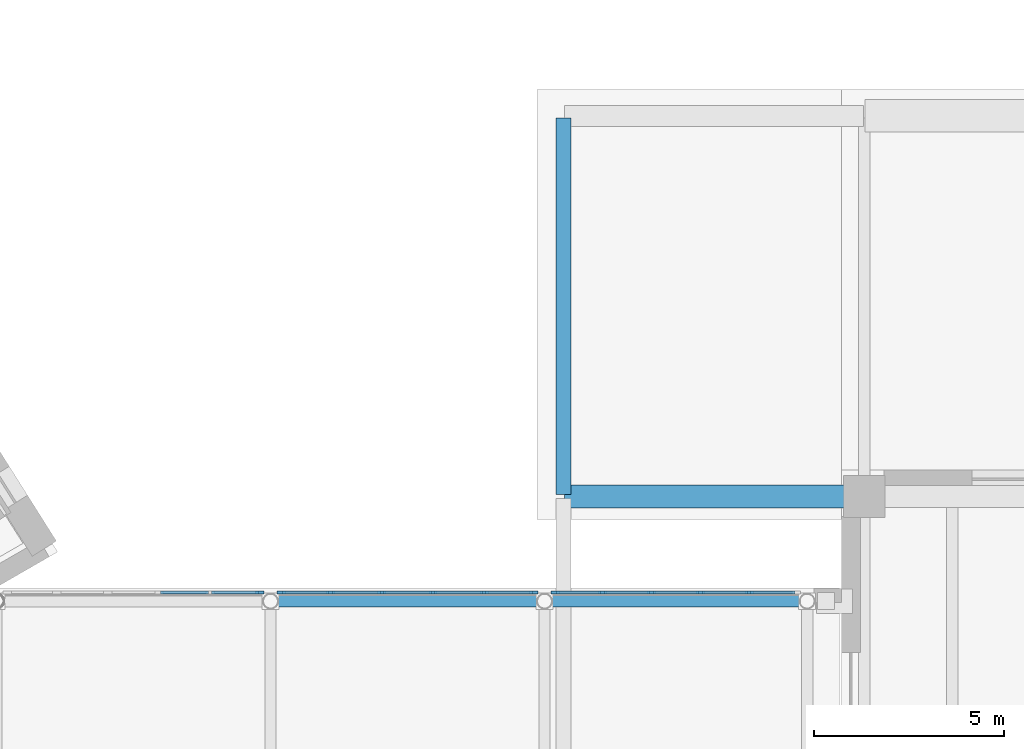
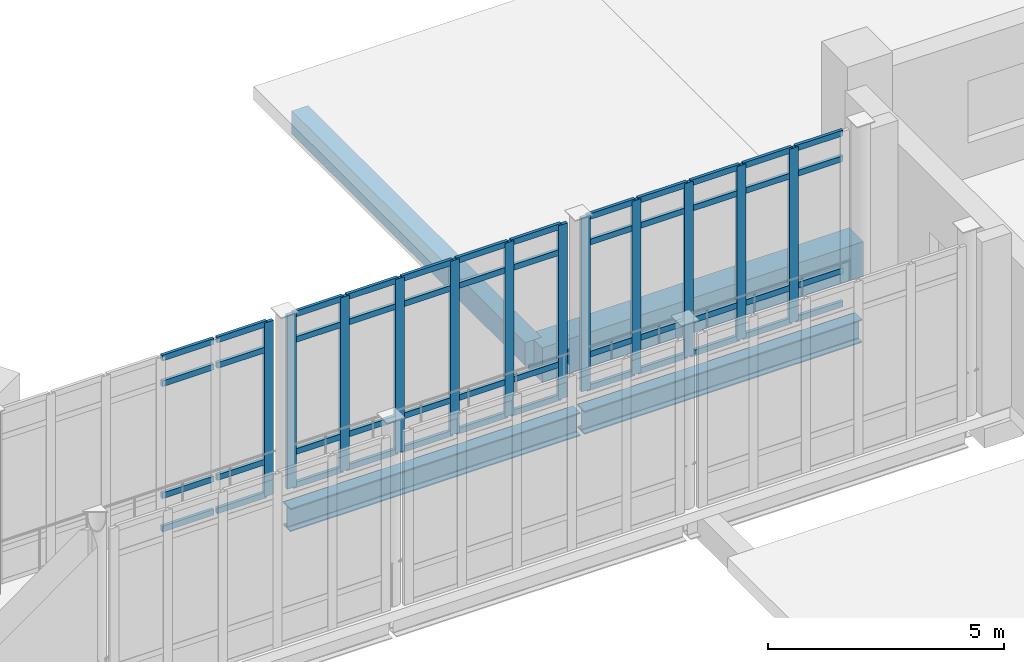
# One storey, part 29 of 75: 60 members, 4 beams, 3 elements without a shape of their own.
"""IFC4 building model written with IfcOpenShell, lengths in metres."""

import ifcopenshell
import ifcopenshell.guid

model = None  # the IFC model being written
_history = None  # IfcOwnerHistory: only IFC2X3 demands one
_inside = {}  # id of a spatial element -> (the spatial element, [elements in it])
_under = {}  # id of a project, library or spatial element -> (it, [spatial elements below it])
_declared = {}  # id of a project -> (the project, [libraries it declares])
_typed = {}  # id of a type object -> (the type object, [elements of that type])
_made_of = {}  # id of a material, layer set ... -> (it, [elements and type objects made of it])


def new_model(schema):
    """Start an empty IFC model of exactly this schema.

    Asked for "IFC4X3", IfcOpenShell would pick the latest addendum, in which some entities
    have other attributes; the version numbers below select the first issue.
    IFC2X3 requires an IfcOwnerHistory on every rooted entity: one is made here for all.
    """
    global model, _history
    if schema == "IFC4X3":
        model = ifcopenshell.file(schema_version=(4, 3, 0, 0))
    else:
        model = ifcopenshell.file(schema=schema)
    _inside.clear()
    _under.clear()
    _declared.clear()
    _typed.clear()
    _made_of.clear()
    _history = None
    if model.schema == "IFC2X3":
        org = make("IfcOrganization", Name="unknown")
        user = make(
            "IfcPersonAndOrganization",
            ThePerson=make("IfcPerson", FamilyName="unknown"),
            TheOrganization=org,
        )
        app = make(
            "IfcApplication",
            ApplicationDeveloper=org,
            Version="unknown",
            ApplicationFullName="unknown",
            ApplicationIdentifier="unknown",
        )
        _history = make(
            "IfcOwnerHistory",
            OwningUser=user,
            OwningApplication=app,
            ChangeAction="ADDED",
            CreationDate=0,
        )
    return model


def make(cls, **values):
    """One entity of the class cls with the attributes given. An attribute that is None is left unset."""
    return model.create_entity(
        cls, **{name: value for name, value in values.items() if value is not None}
    )


def rooted(cls, **values):
    """An entity with a GlobalId (a new one), such as an element, a storey or a relation."""
    return make(cls, GlobalId=ifcopenshell.guid.new(), OwnerHistory=_history, **values)


def si_unit(unit_type, name, prefix=None):
    """IfcSIUnit, for example si_unit("LENGTHUNIT", "METRE", prefix="MILLI")."""
    return make("IfcSIUnit", UnitType=unit_type, Prefix=prefix, Name=name)


def assignment(units):
    """IfcUnitAssignment: the units of a project."""
    return None if units is None else make("IfcUnitAssignment", Units=units)


def point(xyz):
    """IfcCartesianPoint."""
    return None if xyz is None else make("IfcCartesianPoint", Coordinates=xyz)


def direction(xyz):
    """IfcDirection."""
    return None if xyz is None else make("IfcDirection", DirectionRatios=xyz)


def frame(location, z_axis=None, x_axis=None):
    """IfcAxis2Placement3D, a coordinate frame: its origin and axes. An axis left out is left unset."""
    return make(
        "IfcAxis2Placement3D",
        Location=point(location),
        Axis=direction(z_axis),
        RefDirection=direction(x_axis),
    )


def frame_2d(location, x_axis=None):
    """IfcAxis2Placement2D, a coordinate frame in the plane: its origin and x axis."""
    return make(
        "IfcAxis2Placement2D", Location=point(location), RefDirection=direction(x_axis)
    )


def origin():
    """The frame at (0, 0, 0) with its axes left unset."""
    return frame((0.0, 0.0, 0.0))


def origin_2d():
    """The frame at (0, 0) in the plane with its x axis left unset."""
    return frame_2d((0.0, 0.0))


def place(relative_to, where):
    """IfcLocalPlacement: puts the frame where relative to a parent placement (None: the world)."""
    return make(
        "IfcLocalPlacement", PlacementRelTo=relative_to, RelativePlacement=where
    )


def context(
    kind, dimensions, precision=None, world=None, true_north=None, identifier=None
):
    """IfcGeometricRepresentationContext, for example the 3D "Model" context."""
    return make(
        "IfcGeometricRepresentationContext",
        ContextIdentifier=identifier,
        ContextType=kind,
        CoordinateSpaceDimension=dimensions,
        Precision=precision,
        WorldCoordinateSystem=world,
        TrueNorth=true_north,
    )


def subcontext(parent, identifier, kind, view, scale=None):
    """IfcGeometricRepresentationSubContext, for example "Body" below "Model"."""
    return make(
        "IfcGeometricRepresentationSubContext",
        ContextIdentifier=identifier,
        ContextType=kind,
        ParentContext=parent,
        TargetScale=scale,
        TargetView=view,
    )


def project(units=None, contexts=None):
    """IfcProject with its units and contexts."""
    return rooted(
        "IfcProject",
        Name="project",
        RepresentationContexts=contexts,
        UnitsInContext=assignment(units),
    )


def spatial(cls, under=None, at=None, **own):
    """A site, building, storey or space (cls), placed at a placement, below another one or the project."""
    s = rooted(cls, ObjectPlacement=at, **own)
    if under is not None:
        _under.setdefault(under.id(), (under, []))[1].append(s)
    return s


def profile(cls, at=None, kind="AREA", **sizes):
    """A parametric profile (cls). Its sizes go by their IFC names, for example OverallWidth=200.0."""
    return make(cls, ProfileType=kind, Position=at, **sizes)


def rectangle(**sizes):
    """IfcRectangleProfileDef."""
    return profile("IfcRectangleProfileDef", **sizes)


def i_section(**sizes):
    """IfcIShapeProfileDef."""
    return profile("IfcIShapeProfileDef", **sizes)


def extrude(swept, where, along, depth):
    """IfcExtrudedAreaSolid: the profile swept, set in the frame where, extruded along a direction by depth."""
    return make(
        "IfcExtrudedAreaSolid",
        SweptArea=swept,
        Position=where,
        ExtrudedDirection=direction(along),
        Depth=depth,
    )


def shape(context_of_items, identifier, shape_type, items):
    """IfcShapeRepresentation: the items that make up one representation, for example the "Body"."""
    return make(
        "IfcShapeRepresentation",
        ContextOfItems=context_of_items,
        RepresentationIdentifier=identifier,
        RepresentationType=shape_type,
        Items=items,
    )


def material(Name=None, Category=None):
    """IfcMaterial."""
    return make("IfcMaterial", Name=Name, Category=Category)


def material_profile(
    of_material, cross_section, Name=None, Category=None, Priority=None
):
    """IfcMaterialProfile: a cross section and its material."""
    return make(
        "IfcMaterialProfile",
        Name=Name,
        Material=of_material,
        Profile=cross_section,
        Priority=Priority,
        Category=Category,
    )


def profile_set(profiles, Name=None, composite=None):
    """IfcMaterialProfileSet."""
    return make(
        "IfcMaterialProfileSet",
        Name=Name,
        MaterialProfiles=profiles,
        CompositeProfile=composite,
    )


def made_of(thing, what):
    """Note that an element or type object is made of a material, layer set ...; save() writes the relation."""
    if what is not None:
        _made_of.setdefault(what.id(), (what, []))[1].append(thing)
    return thing


def type_object(cls, material=None, **own):
    """A type object (cls), such as IfcWallType, which elements share."""
    return made_of(rooted(cls, **own), material)


def element(
    cls,
    number,
    at=None,
    inside=None,
    cuts=None,
    type_object=None,
    material=None,
    context=None,
    identifier="Body",
    shape_type=None,
    held_by="IfcProductDefinitionShape",
    body=None,
    shapes=None,
    **own,
):
    """One element of the class cls, such as IfcWall. Its Tag is "e" and its number.

    at: its placement. inside: the storey or other place that contains it. cuts: it is an
    opening in that element (IfcRelVoidsElement). A single representation is given by context,
    identifier, shape_type and body (its items); several are given by shapes. held_by: the class
    of the entity that holds the representations. save() writes the other relations.
    """
    e = rooted(cls, Tag="e%d" % number, ObjectPlacement=at, **own)
    if body is not None:
        shapes = [shape(context, identifier, shape_type, body)]
    if shapes is not None:
        e.Representation = make(held_by, Representations=shapes)
    if inside is not None:
        _inside.setdefault(inside.id(), (inside, []))[1].append(e)
    if cuts is not None:
        rooted(
            "IfcRelVoidsElement", RelatingBuildingElement=cuts, RelatedOpeningElement=e
        )
    if type_object is not None:
        _typed.setdefault(type_object.id(), (type_object, []))[1].append(e)
    return made_of(e, material)


def aggregate(whole, parts):
    """IfcRelAggregates: a whole, such as a stair, and the parts it consists of."""
    return rooted("IfcRelAggregates", RelatingObject=whole, RelatedObjects=parts)


def save(model, path):
    """Write the relations noted so far, then the file.

    IfcRelAggregates (storeys below a building ...), IfcRelContainedInSpatialStructure (elements
    in a storey), IfcRelDefinesByType, IfcRelAssociatesMaterial and IfcRelDeclares: one each for
    every whole, place, type object, material and project.
    """
    for whole, parts in _under.values():
        aggregate(whole, parts)
    for where, things in _inside.values():
        rooted(
            "IfcRelContainedInSpatialStructure",
            RelatedElements=things,
            RelatingStructure=where,
        )
    for kind, things in _typed.values():
        rooted("IfcRelDefinesByType", RelatedObjects=things, RelatingType=kind)
    for what, things in _made_of.values():
        rooted("IfcRelAssociatesMaterial", RelatedObjects=things, RelatingMaterial=what)
    for by, libraries in _declared.values():
        rooted("IfcRelDeclares", RelatingContext=by, RelatedDefinitions=libraries)
    model.write(path)


model = new_model("IFC4")

# Units and contexts
model_context = context("Model", 3, precision=1e-05, world=origin(), true_north=direction((0.0, 1.0)))
body_context = subcontext(model_context, "Body", "Model", "MODEL_VIEW")
ifc_project = project(units=[si_unit("LENGTHUNIT", "METRE"), si_unit("AREAUNIT", "SQUARE_METRE"), si_unit("VOLUMEUNIT", "CUBIC_METRE"), si_unit("PLANEANGLEUNIT", "RADIAN"), si_unit("MASSUNIT", "GRAM", prefix="KILO")], contexts=[model_context])

# Site, building, storey
site_placement = place(None, origin())
site = spatial("IfcSite", under=ifc_project, at=site_placement, CompositionType="ELEMENT")
building_placement = place(site_placement, origin())
building = spatial("IfcBuilding", under=site, at=building_placement, Name="Soyqirgoq Riverine Aquarium", CompositionType="ELEMENT")
storey_placement = place(building_placement, frame((0.0, 0.0, 10.199951171875)))
storey = spatial("IfcBuildingStorey", under=building, at=storey_placement, Name="L03", CompositionType="ELEMENT", Elevation=10.199951171875)

# Beam
ifc_material_1 = material(Name="Concrete C40/50", Category="concrete")
ifc_material_profile_1 = material_profile(ifc_material_1, rectangle(XDim=0.39990234375, YDim=0.60009765625, at=origin_2d()), Name="RC 400x600")
ifc_profile_set_1 = profile_set([ifc_material_profile_1], Name="Concrete C40/50")
beam_type_1 = type_object("IfcBeamType", Name="Beam_RC_400x600", PredefinedType="JOIST", material=ifc_profile_set_1)
beam_1_placement = place(storey_placement, frame((114.699951171875, 84.85009765625, -0.64990234375), z_axis=(0.0, 1.0, 0.0), x_axis=(-1.0, 0.0, 0.0)))
element("IfcBeam", 1, at=beam_1_placement, inside=storey, type_object=beam_type_1, Name="V7 L03 North-South Frame Beam 1363", PredefinedType="JOIST", context=body_context, shape_type="SweptSolid", body=[
    extrude(rectangle(XDim=0.39990234375, YDim=0.60009765625, at=origin_2d()), origin(), (0.0, 0.0, 1.0), 9.89990234375),
])

# Curtain wall, member
ifc_material_2 = material(Name="Laminated solar-control bridge curtain wall", Category="aluminium")
curtain_wall_type = type_object("IfcCurtainWallType", Name="CW_Bridge_Concourse", PredefinedType="NOTDEFINED", material=ifc_material_2)
curtain_wall_1_placement = place(storey_placement, origin())
curtain_wall_1 = element("IfcCurtainWall", 2, at=curtain_wall_1_placement, inside=storey, type_object=curtain_wall_type, Name="BR-2 L03 Curtain Wall 144", PredefinedType="NOTDEFINED")
ifc_material_3 = material(Name="Anodised aluminium 6063-T6", Category="aluminium")
ifc_material_profile_2 = material_profile(ifc_material_3, rectangle(XDim=0.080078125, YDim=0.219970703125, at=origin_2d()), Name="ALU-M 80x220")
ifc_profile_set_2 = profile_set([ifc_material_profile_2], Name="Anodised aluminium 6063-T6")
member_type_1 = type_object("IfcMemberType", Name="CWMullion_80x220", PredefinedType="MULLION", material=ifc_profile_set_2)
member_1_placement = place(storey_placement, frame((106.719970703125, 82.280029296875, 0.0), z_axis=(0.0, 0.0, 1.0), x_axis=(0.0, 1.0, 0.0)))
member_1 = element("IfcMember", 3, at=member_1_placement, type_object=member_type_1, Name="CW-06 mullion 6", PredefinedType="MULLION", context=body_context, shape_type="SweptSolid", body=[
    extrude(rectangle(XDim=0.080078125, YDim=0.219970703125, at=origin_2d()), origin(), (0.0, 0.0, 1.0), 4.5),
])

# Curtain wall, members
curtain_wall_2_placement = place(storey_placement, origin())
curtain_wall_2 = element("IfcCurtainWall", 4, at=curtain_wall_2_placement, inside=storey, type_object=curtain_wall_type, Name="BR-2 L03 Curtain Wall 145", PredefinedType="NOTDEFINED")
member_2_placement = place(storey_placement, frame((107.280029296875, 82.280029296875, 0.0), z_axis=(0.0, 0.0, 1.0), x_axis=(0.0, 1.0, 0.0)))
member_2 = element("IfcMember", 5, at=member_2_placement, type_object=member_type_1, Name="CW-06 mullion 1", PredefinedType="MULLION", context=body_context, shape_type="SweptSolid", body=[
    extrude(rectangle(XDim=0.080078125, YDim=0.219970703125, at=origin_2d()), origin(), (0.0, 0.0, 1.0), 4.5),
])
member_3_placement = place(storey_placement, frame((108.583984375, 82.280029296875, 0.0), z_axis=(0.0, 0.0, 1.0), x_axis=(0.0, 1.0, 0.0)))
member_3 = element("IfcMember", 6, at=member_3_placement, type_object=member_type_1, Name="CW-06 mullion 2", PredefinedType="MULLION", context=body_context, shape_type="SweptSolid", body=[
    extrude(rectangle(XDim=0.080078125, YDim=0.219970703125, at=origin_2d()), origin(), (0.0, 0.0, 1.0), 4.5),
])
member_4_placement = place(storey_placement, frame((109.927978515625, 82.280029296875, 0.0), z_axis=(0.0, 0.0, 1.0), x_axis=(0.0, 1.0, 0.0)))
member_4 = element("IfcMember", 7, at=member_4_placement, type_object=member_type_1, Name="CW-06 mullion 3", PredefinedType="MULLION", context=body_context, shape_type="SweptSolid", body=[
    extrude(rectangle(XDim=0.080078125, YDim=0.219970703125, at=origin_2d()), origin(), (0.0, 0.0, 1.0), 4.5),
])
member_5_placement = place(storey_placement, frame((111.27197265625, 82.280029296875, 0.0), z_axis=(0.0, 0.0, 1.0), x_axis=(0.0, 1.0, 0.0)))
member_5 = element("IfcMember", 8, at=member_5_placement, type_object=member_type_1, Name="CW-06 mullion 4", PredefinedType="MULLION", context=body_context, shape_type="SweptSolid", body=[
    extrude(rectangle(XDim=0.080078125, YDim=0.219970703125, at=origin_2d()), origin(), (0.0, 0.0, 1.0), 4.5),
])
member_6_placement = place(storey_placement, frame((112.615966796875, 82.280029296875, 0.0), z_axis=(0.0, 0.0, 1.0), x_axis=(0.0, 1.0, 0.0)))
member_6 = element("IfcMember", 9, at=member_6_placement, type_object=member_type_1, Name="CW-06 mullion 5", PredefinedType="MULLION", context=body_context, shape_type="SweptSolid", body=[
    extrude(rectangle(XDim=0.080078125, YDim=0.219970703125, at=origin_2d()), origin(), (0.0, 0.0, 1.0), 4.5),
])
member_7_placement = place(storey_placement, frame((113.919921875, 82.280029296875, 0.0), z_axis=(0.0, 0.0, 1.0), x_axis=(0.0, 1.0, 0.0)))
member_7 = element("IfcMember", 10, at=member_7_placement, type_object=member_type_1, Name="CW-06 mullion 6", PredefinedType="MULLION", context=body_context, shape_type="SweptSolid", body=[
    extrude(rectangle(XDim=0.080078125, YDim=0.219970703125, at=origin_2d()), origin(), (0.0, 0.0, 1.0), 4.5),
])

curtain_wall_3_placement = place(storey_placement, origin())
curtain_wall_3 = element("IfcCurtainWall", 11, at=curtain_wall_3_placement, inside=storey, type_object=curtain_wall_type, Name="BR-2 L03 Curtain Wall 146", PredefinedType="NOTDEFINED")
member_8_placement = place(storey_placement, frame((114.47998046875, 82.280029296875, 0.0), z_axis=(0.0, 0.0, 1.0), x_axis=(0.0, 1.0, 0.0)))
member_8 = element("IfcMember", 12, at=member_8_placement, type_object=member_type_1, Name="CW-06 mullion 1", PredefinedType="MULLION", context=body_context, shape_type="SweptSolid", body=[
    extrude(rectangle(XDim=0.080078125, YDim=0.219970703125, at=origin_2d()), origin(), (0.0, 0.0, 1.0), 4.5),
])
member_9_placement = place(storey_placement, frame((115.72412109375, 82.280029296875, 0.0), z_axis=(0.0, 0.0, 1.0), x_axis=(0.0, 1.0, 0.0)))
member_9 = element("IfcMember", 13, at=member_9_placement, type_object=member_type_1, Name="CW-06 mullion 2", PredefinedType="MULLION", context=body_context, shape_type="SweptSolid", body=[
    extrude(rectangle(XDim=0.080078125, YDim=0.219970703125, at=origin_2d()), origin(), (0.0, 0.0, 1.0), 4.5),
])
member_10_placement = place(storey_placement, frame((117.008056640625, 82.280029296875, 0.0), z_axis=(0.0, 0.0, 1.0), x_axis=(0.0, 1.0, 0.0)))
member_10 = element("IfcMember", 14, at=member_10_placement, type_object=member_type_1, Name="CW-06 mullion 3", PredefinedType="MULLION", context=body_context, shape_type="SweptSolid", body=[
    extrude(rectangle(XDim=0.080078125, YDim=0.219970703125, at=origin_2d()), origin(), (0.0, 0.0, 1.0), 4.5),
])
member_11_placement = place(storey_placement, frame((118.2919921875, 82.280029296875, 0.0), z_axis=(0.0, 0.0, 1.0), x_axis=(0.0, 1.0, 0.0)))
member_11 = element("IfcMember", 15, at=member_11_placement, type_object=member_type_1, Name="CW-06 mullion 4", PredefinedType="MULLION", context=body_context, shape_type="SweptSolid", body=[
    extrude(rectangle(XDim=0.080078125, YDim=0.219970703125, at=origin_2d()), origin(), (0.0, 0.0, 1.0), 4.5),
])
member_12_placement = place(storey_placement, frame((119.575927734375, 82.280029296875, 0.0), z_axis=(0.0, 0.0, 1.0), x_axis=(0.0, 1.0, 0.0)))
member_12 = element("IfcMember", 16, at=member_12_placement, type_object=member_type_1, Name="CW-06 mullion 5", PredefinedType="MULLION", context=body_context, shape_type="SweptSolid", body=[
    extrude(rectangle(XDim=0.080078125, YDim=0.219970703125, at=origin_2d()), origin(), (0.0, 0.0, 1.0), 4.5),
])

# Member
ifc_material_4 = material(Name="Anodised aluminium 6063-T6", Category="aluminium")
ifc_material_profile_3 = material_profile(ifc_material_4, rectangle(XDim=0.074951171875, YDim=0.14990234375, at=origin_2d()), Name="ALU-T 75x150")
ifc_profile_set_3 = profile_set([ifc_material_profile_3], Name="Anodised aluminium 6063-T6")
member_type_2 = type_object("IfcMemberType", Name="CWTransom_75x150", PredefinedType="USERDEFINED", material=ifc_profile_set_3)
member_13_placement = place(storey_placement, frame((104.112060546875, 82.280029296875, 0.03759765625), z_axis=(1.0, 0.0, 0.0), x_axis=(0.0, 1.0, 0.0)))
member_13 = element("IfcMember", 17, at=member_13_placement, type_object=member_type_2, Name="CW-06 transom 4.1", ObjectType="TRANSOM", PredefinedType="USERDEFINED", context=body_context, shape_type="SweptSolid", body=[
    extrude(rectangle(XDim=0.074951171875, YDim=0.14990234375, at=origin_2d()), origin(), (0.0, 0.0, 1.0), 1.263916015625),
])

member_14_placement = place(storey_placement, frame((104.112060546875, 82.280029296875, 0.900146484375), z_axis=(1.0, 0.0, 0.0), x_axis=(0.0, 1.0, 0.0)))
member_14 = element("IfcMember", 18, at=member_14_placement, type_object=member_type_2, Name="CW-06 transom 4.2", ObjectType="TRANSOM", PredefinedType="USERDEFINED", context=body_context, shape_type="SweptSolid", body=[
    extrude(rectangle(XDim=0.074951171875, YDim=0.14990234375, at=origin_2d()), origin(), (0.0, 0.0, 1.0), 1.263916015625),
])

member_15_placement = place(storey_placement, frame((104.112060546875, 82.280029296875, 3.800048828125), z_axis=(1.0, 0.0, 0.0), x_axis=(0.0, 1.0, 0.0)))
member_15 = element("IfcMember", 19, at=member_15_placement, type_object=member_type_2, Name="CW-06 transom 4.3", ObjectType="TRANSOM", PredefinedType="USERDEFINED", context=body_context, shape_type="SweptSolid", body=[
    extrude(rectangle(XDim=0.074951171875, YDim=0.14990234375, at=origin_2d()), origin(), (0.0, 0.0, 1.0), 1.263916015625),
])

member_16_placement = place(storey_placement, frame((104.112060546875, 82.280029296875, 4.462646484375), z_axis=(1.0, 0.0, 0.0), x_axis=(0.0, 1.0, 0.0)))
member_16 = element("IfcMember", 20, at=member_16_placement, type_object=member_type_2, Name="CW-06 transom 4.4", ObjectType="TRANSOM", PredefinedType="USERDEFINED", context=body_context, shape_type="SweptSolid", body=[
    extrude(rectangle(XDim=0.074951171875, YDim=0.14990234375, at=origin_2d()), origin(), (0.0, 0.0, 1.0), 1.263916015625),
])

member_17_placement = place(storey_placement, frame((105.4560546875, 82.280029296875, 0.03759765625), z_axis=(1.0, 0.0, 0.0), x_axis=(0.0, 1.0, 0.0)))
member_17 = element("IfcMember", 21, at=member_17_placement, type_object=member_type_2, Name="CW-06 transom 5.1", ObjectType="TRANSOM", PredefinedType="USERDEFINED", context=body_context, shape_type="SweptSolid", body=[
    extrude(rectangle(XDim=0.074951171875, YDim=0.14990234375, at=origin_2d()), origin(), (0.0, 0.0, 1.0), 1.223876953125),
])

member_18_placement = place(storey_placement, frame((105.4560546875, 82.280029296875, 0.900146484375), z_axis=(1.0, 0.0, 0.0), x_axis=(0.0, 1.0, 0.0)))
member_18 = element("IfcMember", 22, at=member_18_placement, type_object=member_type_2, Name="CW-06 transom 5.2", ObjectType="TRANSOM", PredefinedType="USERDEFINED", context=body_context, shape_type="SweptSolid", body=[
    extrude(rectangle(XDim=0.074951171875, YDim=0.14990234375, at=origin_2d()), origin(), (0.0, 0.0, 1.0), 1.223876953125),
])

member_19_placement = place(storey_placement, frame((105.4560546875, 82.280029296875, 3.800048828125), z_axis=(1.0, 0.0, 0.0), x_axis=(0.0, 1.0, 0.0)))
member_19 = element("IfcMember", 23, at=member_19_placement, type_object=member_type_2, Name="CW-06 transom 5.3", ObjectType="TRANSOM", PredefinedType="USERDEFINED", context=body_context, shape_type="SweptSolid", body=[
    extrude(rectangle(XDim=0.074951171875, YDim=0.14990234375, at=origin_2d()), origin(), (0.0, 0.0, 1.0), 1.223876953125),
])

member_20_placement = place(storey_placement, frame((105.4560546875, 82.280029296875, 4.462646484375), z_axis=(1.0, 0.0, 0.0), x_axis=(0.0, 1.0, 0.0)))
member_20 = element("IfcMember", 24, at=member_20_placement, type_object=member_type_2, Name="CW-06 transom 5.4", ObjectType="TRANSOM", PredefinedType="USERDEFINED", context=body_context, shape_type="SweptSolid", body=[
    extrude(rectangle(XDim=0.074951171875, YDim=0.14990234375, at=origin_2d()), origin(), (0.0, 0.0, 1.0), 1.223876953125),
])

aggregate(curtain_wall_1, [member_1, member_13, member_14, member_15, member_16, member_17, member_18, member_19, member_20])

member_21_placement = place(storey_placement, frame((107.320068359375, 82.280029296875, 0.03759765625), z_axis=(1.0, 0.0, 0.0), x_axis=(0.0, 1.0, 0.0)))
member_21 = element("IfcMember", 25, at=member_21_placement, type_object=member_type_2, Name="CW-06 transom 1.1", ObjectType="TRANSOM", PredefinedType="USERDEFINED", context=body_context, shape_type="SweptSolid", body=[
    extrude(rectangle(XDim=0.074951171875, YDim=0.14990234375, at=origin_2d()), origin(), (0.0, 0.0, 1.0), 1.223876953125),
])

member_22_placement = place(storey_placement, frame((107.320068359375, 82.280029296875, 0.900146484375), z_axis=(1.0, 0.0, 0.0), x_axis=(0.0, 1.0, 0.0)))
member_22 = element("IfcMember", 26, at=member_22_placement, type_object=member_type_2, Name="CW-06 transom 1.2", ObjectType="TRANSOM", PredefinedType="USERDEFINED", context=body_context, shape_type="SweptSolid", body=[
    extrude(rectangle(XDim=0.074951171875, YDim=0.14990234375, at=origin_2d()), origin(), (0.0, 0.0, 1.0), 1.223876953125),
])

member_23_placement = place(storey_placement, frame((107.320068359375, 82.280029296875, 3.800048828125), z_axis=(1.0, 0.0, 0.0), x_axis=(0.0, 1.0, 0.0)))
member_23 = element("IfcMember", 27, at=member_23_placement, type_object=member_type_2, Name="CW-06 transom 1.3", ObjectType="TRANSOM", PredefinedType="USERDEFINED", context=body_context, shape_type="SweptSolid", body=[
    extrude(rectangle(XDim=0.074951171875, YDim=0.14990234375, at=origin_2d()), origin(), (0.0, 0.0, 1.0), 1.223876953125),
])

member_24_placement = place(storey_placement, frame((107.320068359375, 82.280029296875, 4.462646484375), z_axis=(1.0, 0.0, 0.0), x_axis=(0.0, 1.0, 0.0)))
member_24 = element("IfcMember", 28, at=member_24_placement, type_object=member_type_2, Name="CW-06 transom 1.4", ObjectType="TRANSOM", PredefinedType="USERDEFINED", context=body_context, shape_type="SweptSolid", body=[
    extrude(rectangle(XDim=0.074951171875, YDim=0.14990234375, at=origin_2d()), origin(), (0.0, 0.0, 1.0), 1.223876953125),
])

member_25_placement = place(storey_placement, frame((108.6240234375, 82.280029296875, 0.03759765625), z_axis=(1.0, 0.0, 0.0), x_axis=(0.0, 1.0, 0.0)))
member_25 = element("IfcMember", 29, at=member_25_placement, type_object=member_type_2, Name="CW-06 transom 2.1", ObjectType="TRANSOM", PredefinedType="USERDEFINED", context=body_context, shape_type="SweptSolid", body=[
    extrude(rectangle(XDim=0.074951171875, YDim=0.14990234375, at=origin_2d()), origin(), (0.0, 0.0, 1.0), 1.263916015625),
])

member_26_placement = place(storey_placement, frame((108.6240234375, 82.280029296875, 0.900146484375), z_axis=(1.0, 0.0, 0.0), x_axis=(0.0, 1.0, 0.0)))
member_26 = element("IfcMember", 30, at=member_26_placement, type_object=member_type_2, Name="CW-06 transom 2.2", ObjectType="TRANSOM", PredefinedType="USERDEFINED", context=body_context, shape_type="SweptSolid", body=[
    extrude(rectangle(XDim=0.074951171875, YDim=0.14990234375, at=origin_2d()), origin(), (0.0, 0.0, 1.0), 1.263916015625),
])

member_27_placement = place(storey_placement, frame((108.6240234375, 82.280029296875, 3.800048828125), z_axis=(1.0, 0.0, 0.0), x_axis=(0.0, 1.0, 0.0)))
member_27 = element("IfcMember", 31, at=member_27_placement, type_object=member_type_2, Name="CW-06 transom 2.3", ObjectType="TRANSOM", PredefinedType="USERDEFINED", context=body_context, shape_type="SweptSolid", body=[
    extrude(rectangle(XDim=0.074951171875, YDim=0.14990234375, at=origin_2d()), origin(), (0.0, 0.0, 1.0), 1.263916015625),
])

member_28_placement = place(storey_placement, frame((108.6240234375, 82.280029296875, 4.462646484375), z_axis=(1.0, 0.0, 0.0), x_axis=(0.0, 1.0, 0.0)))
member_28 = element("IfcMember", 32, at=member_28_placement, type_object=member_type_2, Name="CW-06 transom 2.4", ObjectType="TRANSOM", PredefinedType="USERDEFINED", context=body_context, shape_type="SweptSolid", body=[
    extrude(rectangle(XDim=0.074951171875, YDim=0.14990234375, at=origin_2d()), origin(), (0.0, 0.0, 1.0), 1.263916015625),
])

member_29_placement = place(storey_placement, frame((109.968017578125, 82.280029296875, 0.03759765625), z_axis=(1.0, 0.0, 0.0), x_axis=(0.0, 1.0, 0.0)))
member_29 = element("IfcMember", 33, at=member_29_placement, type_object=member_type_2, Name="CW-06 transom 3.1", ObjectType="TRANSOM", PredefinedType="USERDEFINED", context=body_context, shape_type="SweptSolid", body=[
    extrude(rectangle(XDim=0.074951171875, YDim=0.14990234375, at=origin_2d()), origin(), (0.0, 0.0, 1.0), 1.263916015625),
])

member_30_placement = place(storey_placement, frame((109.968017578125, 82.280029296875, 0.900146484375), z_axis=(1.0, 0.0, 0.0), x_axis=(0.0, 1.0, 0.0)))
member_30 = element("IfcMember", 34, at=member_30_placement, type_object=member_type_2, Name="CW-06 transom 3.2", ObjectType="TRANSOM", PredefinedType="USERDEFINED", context=body_context, shape_type="SweptSolid", body=[
    extrude(rectangle(XDim=0.074951171875, YDim=0.14990234375, at=origin_2d()), origin(), (0.0, 0.0, 1.0), 1.263916015625),
])

member_31_placement = place(storey_placement, frame((109.968017578125, 82.280029296875, 3.800048828125), z_axis=(1.0, 0.0, 0.0), x_axis=(0.0, 1.0, 0.0)))
member_31 = element("IfcMember", 35, at=member_31_placement, type_object=member_type_2, Name="CW-06 transom 3.3", ObjectType="TRANSOM", PredefinedType="USERDEFINED", context=body_context, shape_type="SweptSolid", body=[
    extrude(rectangle(XDim=0.074951171875, YDim=0.14990234375, at=origin_2d()), origin(), (0.0, 0.0, 1.0), 1.263916015625),
])

member_32_placement = place(storey_placement, frame((109.968017578125, 82.280029296875, 4.462646484375), z_axis=(1.0, 0.0, 0.0), x_axis=(0.0, 1.0, 0.0)))
member_32 = element("IfcMember", 36, at=member_32_placement, type_object=member_type_2, Name="CW-06 transom 3.4", ObjectType="TRANSOM", PredefinedType="USERDEFINED", context=body_context, shape_type="SweptSolid", body=[
    extrude(rectangle(XDim=0.074951171875, YDim=0.14990234375, at=origin_2d()), origin(), (0.0, 0.0, 1.0), 1.263916015625),
])

member_33_placement = place(storey_placement, frame((111.31201171875, 82.280029296875, 0.03759765625), z_axis=(1.0, 0.0, 0.0), x_axis=(0.0, 1.0, 0.0)))
member_33 = element("IfcMember", 37, at=member_33_placement, type_object=member_type_2, Name="CW-06 transom 4.1", ObjectType="TRANSOM", PredefinedType="USERDEFINED", context=body_context, shape_type="SweptSolid", body=[
    extrude(rectangle(XDim=0.074951171875, YDim=0.14990234375, at=origin_2d()), origin(), (0.0, 0.0, 1.0), 1.263916015625),
])

member_34_placement = place(storey_placement, frame((111.31201171875, 82.280029296875, 0.900146484375), z_axis=(1.0, 0.0, 0.0), x_axis=(0.0, 1.0, 0.0)))
member_34 = element("IfcMember", 38, at=member_34_placement, type_object=member_type_2, Name="CW-06 transom 4.2", ObjectType="TRANSOM", PredefinedType="USERDEFINED", context=body_context, shape_type="SweptSolid", body=[
    extrude(rectangle(XDim=0.074951171875, YDim=0.14990234375, at=origin_2d()), origin(), (0.0, 0.0, 1.0), 1.263916015625),
])

member_35_placement = place(storey_placement, frame((111.31201171875, 82.280029296875, 3.800048828125), z_axis=(1.0, 0.0, 0.0), x_axis=(0.0, 1.0, 0.0)))
member_35 = element("IfcMember", 39, at=member_35_placement, type_object=member_type_2, Name="CW-06 transom 4.3", ObjectType="TRANSOM", PredefinedType="USERDEFINED", context=body_context, shape_type="SweptSolid", body=[
    extrude(rectangle(XDim=0.074951171875, YDim=0.14990234375, at=origin_2d()), origin(), (0.0, 0.0, 1.0), 1.263916015625),
])

member_36_placement = place(storey_placement, frame((111.31201171875, 82.280029296875, 4.462646484375), z_axis=(1.0, 0.0, 0.0), x_axis=(0.0, 1.0, 0.0)))
member_36 = element("IfcMember", 40, at=member_36_placement, type_object=member_type_2, Name="CW-06 transom 4.4", ObjectType="TRANSOM", PredefinedType="USERDEFINED", context=body_context, shape_type="SweptSolid", body=[
    extrude(rectangle(XDim=0.074951171875, YDim=0.14990234375, at=origin_2d()), origin(), (0.0, 0.0, 1.0), 1.263916015625),
])

member_37_placement = place(storey_placement, frame((112.656005859375, 82.280029296875, 0.03759765625), z_axis=(1.0, 0.0, 0.0), x_axis=(0.0, 1.0, 0.0)))
member_37 = element("IfcMember", 41, at=member_37_placement, type_object=member_type_2, Name="CW-06 transom 5.1", ObjectType="TRANSOM", PredefinedType="USERDEFINED", context=body_context, shape_type="SweptSolid", body=[
    extrude(rectangle(XDim=0.074951171875, YDim=0.14990234375, at=origin_2d()), origin(), (0.0, 0.0, 1.0), 1.223876953125),
])

member_38_placement = place(storey_placement, frame((112.656005859375, 82.280029296875, 0.900146484375), z_axis=(1.0, 0.0, 0.0), x_axis=(0.0, 1.0, 0.0)))
member_38 = element("IfcMember", 42, at=member_38_placement, type_object=member_type_2, Name="CW-06 transom 5.2", ObjectType="TRANSOM", PredefinedType="USERDEFINED", context=body_context, shape_type="SweptSolid", body=[
    extrude(rectangle(XDim=0.074951171875, YDim=0.14990234375, at=origin_2d()), origin(), (0.0, 0.0, 1.0), 1.223876953125),
])

member_39_placement = place(storey_placement, frame((112.656005859375, 82.280029296875, 3.800048828125), z_axis=(1.0, 0.0, 0.0), x_axis=(0.0, 1.0, 0.0)))
member_39 = element("IfcMember", 43, at=member_39_placement, type_object=member_type_2, Name="CW-06 transom 5.3", ObjectType="TRANSOM", PredefinedType="USERDEFINED", context=body_context, shape_type="SweptSolid", body=[
    extrude(rectangle(XDim=0.074951171875, YDim=0.14990234375, at=origin_2d()), origin(), (0.0, 0.0, 1.0), 1.223876953125),
])

member_40_placement = place(storey_placement, frame((112.656005859375, 82.280029296875, 4.462646484375), z_axis=(1.0, 0.0, 0.0), x_axis=(0.0, 1.0, 0.0)))
member_40 = element("IfcMember", 44, at=member_40_placement, type_object=member_type_2, Name="CW-06 transom 5.4", ObjectType="TRANSOM", PredefinedType="USERDEFINED", context=body_context, shape_type="SweptSolid", body=[
    extrude(rectangle(XDim=0.074951171875, YDim=0.14990234375, at=origin_2d()), origin(), (0.0, 0.0, 1.0), 1.223876953125),
])

aggregate(curtain_wall_2, [member_2, member_3, member_4, member_5, member_6, member_7, member_21, member_22, member_23, member_24, member_25, member_26, member_27, member_28, member_29, member_30, member_31, member_32, member_33, member_34, member_35, member_36, member_37, member_38, member_39, member_40])

member_41_placement = place(storey_placement, frame((114.52001953125, 82.280029296875, 0.03759765625), z_axis=(1.0, 0.0, 0.0), x_axis=(0.0, 1.0, 0.0)))
member_41 = element("IfcMember", 45, at=member_41_placement, type_object=member_type_2, Name="CW-06 transom 1.1", ObjectType="TRANSOM", PredefinedType="USERDEFINED", context=body_context, shape_type="SweptSolid", body=[
    extrude(rectangle(XDim=0.074951171875, YDim=0.14990234375, at=origin_2d()), origin(), (0.0, 0.0, 1.0), 1.1640625),
])

member_42_placement = place(storey_placement, frame((114.52001953125, 82.280029296875, 0.900146484375), z_axis=(1.0, 0.0, 0.0), x_axis=(0.0, 1.0, 0.0)))
member_42 = element("IfcMember", 46, at=member_42_placement, type_object=member_type_2, Name="CW-06 transom 1.2", ObjectType="TRANSOM", PredefinedType="USERDEFINED", context=body_context, shape_type="SweptSolid", body=[
    extrude(rectangle(XDim=0.074951171875, YDim=0.14990234375, at=origin_2d()), origin(), (0.0, 0.0, 1.0), 1.1640625),
])

member_43_placement = place(storey_placement, frame((114.52001953125, 82.280029296875, 3.800048828125), z_axis=(1.0, 0.0, 0.0), x_axis=(0.0, 1.0, 0.0)))
member_43 = element("IfcMember", 47, at=member_43_placement, type_object=member_type_2, Name="CW-06 transom 1.3", ObjectType="TRANSOM", PredefinedType="USERDEFINED", context=body_context, shape_type="SweptSolid", body=[
    extrude(rectangle(XDim=0.074951171875, YDim=0.14990234375, at=origin_2d()), origin(), (0.0, 0.0, 1.0), 1.1640625),
])

member_44_placement = place(storey_placement, frame((114.52001953125, 82.280029296875, 4.462646484375), z_axis=(1.0, 0.0, 0.0), x_axis=(0.0, 1.0, 0.0)))
member_44 = element("IfcMember", 48, at=member_44_placement, type_object=member_type_2, Name="CW-06 transom 1.4", ObjectType="TRANSOM", PredefinedType="USERDEFINED", context=body_context, shape_type="SweptSolid", body=[
    extrude(rectangle(XDim=0.074951171875, YDim=0.14990234375, at=origin_2d()), origin(), (0.0, 0.0, 1.0), 1.1640625),
])

member_45_placement = place(storey_placement, frame((115.763916015625, 82.280029296875, 0.03759765625), z_axis=(1.0, 0.0, 0.0), x_axis=(0.0, 1.0, 0.0)))
member_45 = element("IfcMember", 49, at=member_45_placement, type_object=member_type_2, Name="CW-06 transom 2.1", ObjectType="TRANSOM", PredefinedType="USERDEFINED", context=body_context, shape_type="SweptSolid", body=[
    extrude(rectangle(XDim=0.074951171875, YDim=0.14990234375, at=origin_2d()), origin(), (0.0, 0.0, 1.0), 1.2041015625),
])

member_46_placement = place(storey_placement, frame((115.763916015625, 82.280029296875, 0.900146484375), z_axis=(1.0, 0.0, 0.0), x_axis=(0.0, 1.0, 0.0)))
member_46 = element("IfcMember", 50, at=member_46_placement, type_object=member_type_2, Name="CW-06 transom 2.2", ObjectType="TRANSOM", PredefinedType="USERDEFINED", context=body_context, shape_type="SweptSolid", body=[
    extrude(rectangle(XDim=0.074951171875, YDim=0.14990234375, at=origin_2d()), origin(), (0.0, 0.0, 1.0), 1.2041015625),
])

member_47_placement = place(storey_placement, frame((115.763916015625, 82.280029296875, 3.800048828125), z_axis=(1.0, 0.0, 0.0), x_axis=(0.0, 1.0, 0.0)))
member_47 = element("IfcMember", 51, at=member_47_placement, type_object=member_type_2, Name="CW-06 transom 2.3", ObjectType="TRANSOM", PredefinedType="USERDEFINED", context=body_context, shape_type="SweptSolid", body=[
    extrude(rectangle(XDim=0.074951171875, YDim=0.14990234375, at=origin_2d()), origin(), (0.0, 0.0, 1.0), 1.2041015625),
])

member_48_placement = place(storey_placement, frame((115.763916015625, 82.280029296875, 4.462646484375), z_axis=(1.0, 0.0, 0.0), x_axis=(0.0, 1.0, 0.0)))
member_48 = element("IfcMember", 52, at=member_48_placement, type_object=member_type_2, Name="CW-06 transom 2.4", ObjectType="TRANSOM", PredefinedType="USERDEFINED", context=body_context, shape_type="SweptSolid", body=[
    extrude(rectangle(XDim=0.074951171875, YDim=0.14990234375, at=origin_2d()), origin(), (0.0, 0.0, 1.0), 1.2041015625),
])

member_49_placement = place(storey_placement, frame((117.048095703125, 82.280029296875, 0.03759765625), z_axis=(1.0, 0.0, 0.0), x_axis=(0.0, 1.0, 0.0)))
member_49 = element("IfcMember", 53, at=member_49_placement, type_object=member_type_2, Name="CW-06 transom 3.1", ObjectType="TRANSOM", PredefinedType="USERDEFINED", context=body_context, shape_type="SweptSolid", body=[
    extrude(rectangle(XDim=0.074951171875, YDim=0.14990234375, at=origin_2d()), origin(), (0.0, 0.0, 1.0), 1.203857421875),
])

member_50_placement = place(storey_placement, frame((117.048095703125, 82.280029296875, 0.900146484375), z_axis=(1.0, 0.0, 0.0), x_axis=(0.0, 1.0, 0.0)))
member_50 = element("IfcMember", 54, at=member_50_placement, type_object=member_type_2, Name="CW-06 transom 3.2", ObjectType="TRANSOM", PredefinedType="USERDEFINED", context=body_context, shape_type="SweptSolid", body=[
    extrude(rectangle(XDim=0.074951171875, YDim=0.14990234375, at=origin_2d()), origin(), (0.0, 0.0, 1.0), 1.203857421875),
])

member_51_placement = place(storey_placement, frame((117.048095703125, 82.280029296875, 3.800048828125), z_axis=(1.0, 0.0, 0.0), x_axis=(0.0, 1.0, 0.0)))
member_51 = element("IfcMember", 55, at=member_51_placement, type_object=member_type_2, Name="CW-06 transom 3.3", ObjectType="TRANSOM", PredefinedType="USERDEFINED", context=body_context, shape_type="SweptSolid", body=[
    extrude(rectangle(XDim=0.074951171875, YDim=0.14990234375, at=origin_2d()), origin(), (0.0, 0.0, 1.0), 1.203857421875),
])

member_52_placement = place(storey_placement, frame((117.048095703125, 82.280029296875, 4.462646484375), z_axis=(1.0, 0.0, 0.0), x_axis=(0.0, 1.0, 0.0)))
member_52 = element("IfcMember", 56, at=member_52_placement, type_object=member_type_2, Name="CW-06 transom 3.4", ObjectType="TRANSOM", PredefinedType="USERDEFINED", context=body_context, shape_type="SweptSolid", body=[
    extrude(rectangle(XDim=0.074951171875, YDim=0.14990234375, at=origin_2d()), origin(), (0.0, 0.0, 1.0), 1.203857421875),
])

member_53_placement = place(storey_placement, frame((118.33203125, 82.280029296875, 0.03759765625), z_axis=(1.0, 0.0, 0.0), x_axis=(0.0, 1.0, 0.0)))
member_53 = element("IfcMember", 57, at=member_53_placement, type_object=member_type_2, Name="CW-06 transom 4.1", ObjectType="TRANSOM", PredefinedType="USERDEFINED", context=body_context, shape_type="SweptSolid", body=[
    extrude(rectangle(XDim=0.074951171875, YDim=0.14990234375, at=origin_2d()), origin(), (0.0, 0.0, 1.0), 1.203857421875),
])

member_54_placement = place(storey_placement, frame((118.33203125, 82.280029296875, 0.900146484375), z_axis=(1.0, 0.0, 0.0), x_axis=(0.0, 1.0, 0.0)))
member_54 = element("IfcMember", 58, at=member_54_placement, type_object=member_type_2, Name="CW-06 transom 4.2", ObjectType="TRANSOM", PredefinedType="USERDEFINED", context=body_context, shape_type="SweptSolid", body=[
    extrude(rectangle(XDim=0.074951171875, YDim=0.14990234375, at=origin_2d()), origin(), (0.0, 0.0, 1.0), 1.203857421875),
])

member_55_placement = place(storey_placement, frame((118.33203125, 82.280029296875, 3.800048828125), z_axis=(1.0, 0.0, 0.0), x_axis=(0.0, 1.0, 0.0)))
member_55 = element("IfcMember", 59, at=member_55_placement, type_object=member_type_2, Name="CW-06 transom 4.3", ObjectType="TRANSOM", PredefinedType="USERDEFINED", context=body_context, shape_type="SweptSolid", body=[
    extrude(rectangle(XDim=0.074951171875, YDim=0.14990234375, at=origin_2d()), origin(), (0.0, 0.0, 1.0), 1.203857421875),
])

member_56_placement = place(storey_placement, frame((118.33203125, 82.280029296875, 4.462646484375), z_axis=(1.0, 0.0, 0.0), x_axis=(0.0, 1.0, 0.0)))
member_56 = element("IfcMember", 60, at=member_56_placement, type_object=member_type_2, Name="CW-06 transom 4.4", ObjectType="TRANSOM", PredefinedType="USERDEFINED", context=body_context, shape_type="SweptSolid", body=[
    extrude(rectangle(XDim=0.074951171875, YDim=0.14990234375, at=origin_2d()), origin(), (0.0, 0.0, 1.0), 1.203857421875),
])

member_57_placement = place(storey_placement, frame((119.615966796875, 82.280029296875, 0.03759765625), z_axis=(1.0, 0.0, 0.0), x_axis=(0.0, 1.0, 0.0)))
member_57 = element("IfcMember", 61, at=member_57_placement, type_object=member_type_2, Name="CW-06 transom 5.1", ObjectType="TRANSOM", PredefinedType="USERDEFINED", context=body_context, shape_type="SweptSolid", body=[
    extrude(rectangle(XDim=0.074951171875, YDim=0.14990234375, at=origin_2d()), origin(), (0.0, 0.0, 1.0), 1.1640625),
])

member_58_placement = place(storey_placement, frame((119.615966796875, 82.280029296875, 0.900146484375), z_axis=(1.0, 0.0, 0.0), x_axis=(0.0, 1.0, 0.0)))
member_58 = element("IfcMember", 62, at=member_58_placement, type_object=member_type_2, Name="CW-06 transom 5.2", ObjectType="TRANSOM", PredefinedType="USERDEFINED", context=body_context, shape_type="SweptSolid", body=[
    extrude(rectangle(XDim=0.074951171875, YDim=0.14990234375, at=origin_2d()), origin(), (0.0, 0.0, 1.0), 1.1640625),
])

member_59_placement = place(storey_placement, frame((119.615966796875, 82.280029296875, 3.800048828125), z_axis=(1.0, 0.0, 0.0), x_axis=(0.0, 1.0, 0.0)))
member_59 = element("IfcMember", 63, at=member_59_placement, type_object=member_type_2, Name="CW-06 transom 5.3", ObjectType="TRANSOM", PredefinedType="USERDEFINED", context=body_context, shape_type="SweptSolid", body=[
    extrude(rectangle(XDim=0.074951171875, YDim=0.14990234375, at=origin_2d()), origin(), (0.0, 0.0, 1.0), 1.1640625),
])

member_60_placement = place(storey_placement, frame((119.615966796875, 82.280029296875, 4.462646484375), z_axis=(1.0, 0.0, 0.0), x_axis=(0.0, 1.0, 0.0)))
member_60 = element("IfcMember", 64, at=member_60_placement, type_object=member_type_2, Name="CW-06 transom 5.4", ObjectType="TRANSOM", PredefinedType="USERDEFINED", context=body_context, shape_type="SweptSolid", body=[
    extrude(rectangle(XDim=0.074951171875, YDim=0.14990234375, at=origin_2d()), origin(), (0.0, 0.0, 1.0), 1.1640625),
])

aggregate(curtain_wall_3, [member_8, member_9, member_10, member_11, member_12, member_41, member_42, member_43, member_44, member_45, member_46, member_47, member_48, member_49, member_50, member_51, member_52, member_53, member_54, member_55, member_56, member_57, member_58, member_59, member_60])

# Beams
ifc_material_5 = material(Name="Concrete C40/50", Category="concrete")
ifc_material_profile_4 = material_profile(ifc_material_5, rectangle(XDim=0.60009765625, YDim=0.89990234375, at=origin_2d()), Name="RC 600x900")
ifc_profile_set_4 = profile_set([ifc_material_profile_4], Name="Concrete C40/50")
beam_type_2 = type_object("IfcBeamType", Name="Girder_RC_600x900", PredefinedType="BEAM", material=ifc_profile_set_4)
beam_2_placement = place(storey_placement, frame((114.719970703125, 84.800048828125, -0.800048828125), z_axis=(1.0, 0.0, 0.0), x_axis=(0.0, 1.0, 0.0)))
element("IfcBeam", 65, at=beam_2_placement, inside=storey, type_object=beam_type_2, Name="V7 L03 East-West Frame Girder 1364", PredefinedType="BEAM", context=body_context, shape_type="SweptSolid", body=[
    extrude(rectangle(XDim=0.60009765625, YDim=0.89990234375, at=origin_2d()), origin(), (0.0, 0.0, 1.0), 7.860107421875),
])
ifc_material_6 = material(Name="Structural steel S355", Category="steel")
ifc_material_profile_5 = material_profile(ifc_material_6, i_section(OverallWidth=0.300048828125, OverallDepth=0.60009765625, WebThickness=0.015380859375, FlangeThickness=0.030029296875, FilletRadius=0.027099609375, at=origin_2d()), Name="HEB 600")
ifc_profile_set_5 = profile_set([ifc_material_profile_5], Name="Structural steel S355")
beam_type_3 = type_object("IfcBeamType", Name="SteelGirder_HEB600", PredefinedType="BEAM", material=ifc_profile_set_5)
beam_3_placement = place(storey_placement, frame((107.050048828125, 82.050048828125, -0.550048828125), z_axis=(1.0, 0.0, 0.0), x_axis=(0.0, 1.0, 0.0)))
element("IfcBeam", 66, at=beam_3_placement, inside=storey, type_object=beam_type_3, Name="BR-2 L03 Bridge Deck Longitudinal Girder 1458", PredefinedType="BEAM", context=body_context, shape_type="SweptSolid", body=[
    extrude(i_section(OverallWidth=0.300048828125, OverallDepth=0.60009765625, WebThickness=0.015380859375, FlangeThickness=0.030029296875, FilletRadius=0.027099609375, at=origin_2d()), origin(), (0.0, 0.0, 1.0), 7.099853515625),
])
beam_4_placement = place(storey_placement, frame((114.25, 82.050048828125, -0.550048828125), z_axis=(1.0, 0.0, 0.0), x_axis=(0.0, 1.0, 0.0)))
element("IfcBeam", 67, at=beam_4_placement, inside=storey, type_object=beam_type_3, Name="BR-2 L03 Bridge Deck Longitudinal Girder 1460", PredefinedType="BEAM", context=body_context, shape_type="SweptSolid", body=[
    extrude(i_section(OverallWidth=0.300048828125, OverallDepth=0.60009765625, WebThickness=0.015380859375, FlangeThickness=0.030029296875, FilletRadius=0.027099609375, at=origin_2d()), origin(), (0.0, 0.0, 1.0), 6.800048828125),
])

save(model, "model.ifc")
